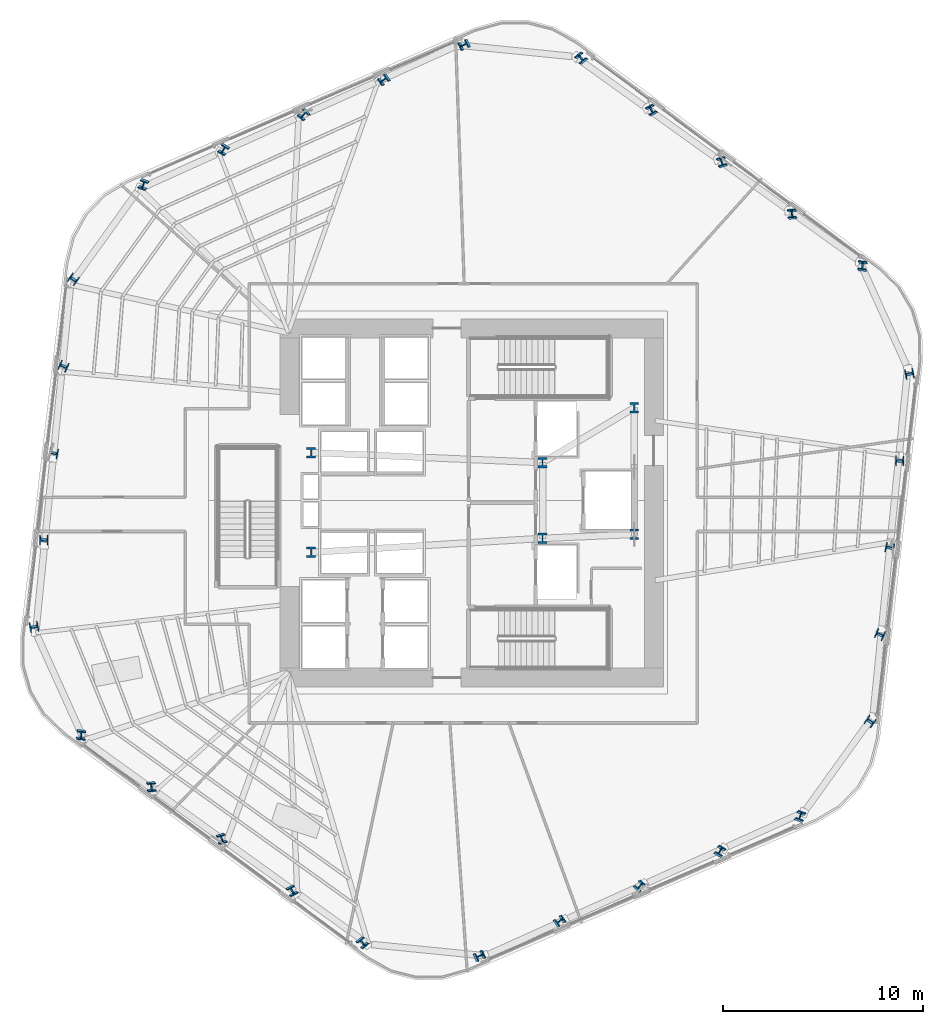
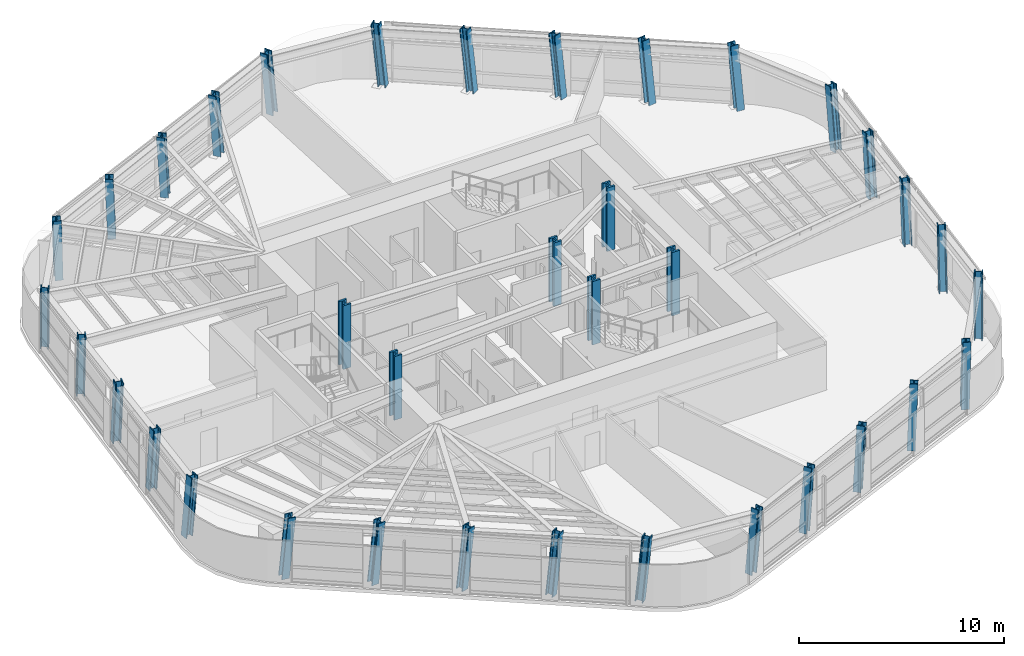
# One storey, part 1 of 16: 36 columns.
"""IFC4 building model written with IfcOpenShell, lengths in metres."""

from ifc_helpers import new_model, si_unit, direction, frame, origin, origin_2d, place, context, subcontext, project, spatial, i_section, extrude, material, material_profile, profile_set, type_object, element, save


model = new_model("IFC4")

# Units and contexts
model_context = context("Model", 3, precision=1e-05, world=origin(), true_north=direction((0.0, 1.0)))
body_context = subcontext(model_context, "Body", "Model", "MODEL_VIEW")
ifc_project = project(units=[si_unit("LENGTHUNIT", "METRE"), si_unit("AREAUNIT", "SQUARE_METRE"), si_unit("VOLUMEUNIT", "CUBIC_METRE"), si_unit("PLANEANGLEUNIT", "RADIAN"), si_unit("MASSUNIT", "GRAM", prefix="KILO")], contexts=[model_context])

# Site, building, storey
site_placement = place(None, origin())
site = spatial("IfcSite", under=ifc_project, at=site_placement, CompositionType="ELEMENT")
building_placement = place(site_placement, origin())
building = spatial("IfcBuilding", under=site, at=building_placement, Name="Valkerne Bourse Tower", CompositionType="ELEMENT")
storey_placement = place(building_placement, frame((0.0, 0.0, 123.800048828125)))
storey = spatial("IfcBuildingStorey", under=building, at=storey_placement, Name="L31", CompositionType="ELEMENT", Elevation=123.800048828125)

# Columns
ifc_material = material(Name="Steel ASTM A913 Grade 65", Category="steel")
ifc_material_profile_1 = material_profile(ifc_material, i_section(OverallWidth=0.408935546875, OverallDepth=0.42431640625, WebThickness=0.03271484375, FlangeThickness=0.052490234375, FilletRadius=0.025390625, at=origin_2d()), Name="W14X283")
ifc_profile_set_1 = profile_set([ifc_material_profile_1], Name="Steel ASTM A913 Grade 65")
column_type_1 = type_object("IfcColumnType", Name="COL-W14X283", PredefinedType="COLUMN", material=ifc_profile_set_1)
column_1_placement = place(storey_placement, frame((66.410400390625, 38.703125, 0.010009765625), z_axis=(-0.048982673869, 0.080737845643, 0.995531063273), x_axis=(0.994252995915, -0.091053872589, 0.056304284036)))
element("IfcColumn", 1, at=column_1_placement, inside=storey, type_object=column_type_1, Name="L31 Helical Perimeter Tube Column F1-C1", PredefinedType="COLUMN", context=body_context, shape_type="SweptSolid", body=[
    extrude(i_section(OverallWidth=0.408935546875, OverallDepth=0.42431640625, WebThickness=0.03271484375, FlangeThickness=0.052490234375, FilletRadius=0.025390625, at=origin_2d()), origin(), (0.0, 0.0, 1.0), 3.798095703125),
])
column_2_placement = place(storey_placement, frame((62.891845703125, 41.31640625, 0.010009765625), z_axis=(-0.059811235489, 0.06611392482, 0.996017853783), x_axis=(0.993745180132, 0.098208832137, 0.053155829927)))
element("IfcColumn", 2, at=column_2_placement, inside=storey, type_object=column_type_1, Name="L31 Helical Perimeter Tube Column F1-C2", PredefinedType="COLUMN", context=body_context, shape_type="SweptSolid", body=[
    extrude(i_section(OverallWidth=0.408935546875, OverallDepth=0.42431640625, WebThickness=0.03271484375, FlangeThickness=0.052490234375, FilletRadius=0.025390625, at=origin_2d()), origin(), (0.0, 0.0, 1.0), 3.796142578125),
])
column_3_placement = place(storey_placement, frame((59.373046875, 43.9296875, 0.010009765625), z_axis=(-0.070434947927, 0.051459322687, 0.996188163059), x_axis=(0.953193235291, 0.297855210724, 0.052008938081)))
element("IfcColumn", 3, at=column_3_placement, inside=storey, type_object=column_type_1, Name="L31 Helical Perimeter Tube Column F1-C3", PredefinedType="COLUMN", context=body_context, shape_type="SweptSolid", body=[
    extrude(i_section(OverallWidth=0.408935546875, OverallDepth=0.42431640625, WebThickness=0.03271484375, FlangeThickness=0.052490234375, FilletRadius=0.025390625, at=origin_2d()), origin(), (0.0, 0.0, 1.0), 3.79541015625),
])
column_4_placement = place(storey_placement, frame((55.854248046875, 46.542724609375, 0.010009765625), z_axis=(-0.081163322771, 0.036851492827, 0.996019318343), x_axis=(0.87262787776, 0.485485408442, 0.053146073655)))
element("IfcColumn", 4, at=column_4_placement, inside=storey, type_object=column_type_1, Name="L31 Helical Perimeter Tube Column F1-C4", PredefinedType="COLUMN", context=body_context, shape_type="SweptSolid", body=[
    extrude(i_section(OverallWidth=0.408935546875, OverallDepth=0.42431640625, WebThickness=0.03271484375, FlangeThickness=0.052490234375, FilletRadius=0.025390625, at=origin_2d()), origin(), (0.0, 0.0, 1.0), 3.796142578125),
])
for number, where, z_axis, x_axis, name in (
    (5, (52.33544921875, 49.156005859375, 0.010009765625), (-0.091794296712, 0.022177193533, 0.995531003625), (0.765494616528, 0.640974084849, 0.056304658948), "L31 Helical Perimeter Tube Column F1-C5"),
    (6, (46.47021484375, 49.834716796875, 0.010009765625), (-0.094429695851, -0.002057011754, 0.995529407523), (-0.415265821503, 0.908926393339, -0.037511451359), "L31 Helical Perimeter Tube Column F2-C1"),
):
    element("IfcColumn", number, at=place(storey_placement, frame(where, z_axis=z_axis, x_axis=x_axis)), inside=storey, type_object=column_type_1, Name=name, PredefinedType="COLUMN", context=body_context, shape_type="SweptSolid", body=[
        extrude(i_section(OverallWidth=0.408935546875, OverallDepth=0.42431640625, WebThickness=0.03271484375, FlangeThickness=0.052490234375, FilletRadius=0.025390625, at=origin_2d()), origin(), (0.0, 0.0, 1.0), 3.798095703125),
    ])
column_5_placement = place(storey_placement, frame((42.447509765625, 48.093994140625, 0.010009765625), z_axis=(-0.087144607944, -0.018650875501, 0.996021065113), x_axis=(-0.578878022744, 0.814645668602, -0.035393070118)))
element("IfcColumn", 7, at=column_5_placement, inside=storey, type_object=column_type_1, Name="L31 Helical Perimeter Tube Column F2-C2", PredefinedType="COLUMN", context=body_context, shape_type="SweptSolid", body=[
    extrude(i_section(OverallWidth=0.408935546875, OverallDepth=0.42431640625, WebThickness=0.03271484375, FlangeThickness=0.052490234375, FilletRadius=0.025390625, at=origin_2d()), origin(), (0.0, 0.0, 1.0), 3.796142578125),
])
column_6_placement = place(storey_placement, frame((38.425048828125, 46.353515625, 0.010009765625), z_axis=(-0.079825868561, -0.035313780693, 0.996183099436), x_axis=(-0.733100743017, 0.679236001793, -0.034666330283)))
element("IfcColumn", 8, at=column_6_placement, inside=storey, type_object=column_type_1, Name="L31 Helical Perimeter Tube Column F2-C3", PredefinedType="COLUMN", context=body_context, shape_type="SweptSolid", body=[
    extrude(i_section(OverallWidth=0.408935546875, OverallDepth=0.42431640625, WebThickness=0.03271484375, FlangeThickness=0.052490234375, FilletRadius=0.025390625, at=origin_2d()), origin(), (0.0, 0.0, 1.0), 3.79541015625),
])
column_7_placement = place(storey_placement, frame((34.402587890625, 44.61279296875, 0.010009765625), z_axis=(-0.072480973176, -0.051900750092, 0.996018484099), x_axis=(-0.855926147012, 0.515884629061, -0.035404524571)))
element("IfcColumn", 9, at=column_7_placement, inside=storey, type_object=column_type_1, Name="L31 Helical Perimeter Tube Column F2-C4", PredefinedType="COLUMN", context=body_context, shape_type="SweptSolid", body=[
    extrude(i_section(OverallWidth=0.408935546875, OverallDepth=0.42431640625, WebThickness=0.03271484375, FlangeThickness=0.052490234375, FilletRadius=0.025390625, at=origin_2d()), origin(), (0.0, 0.0, 1.0), 3.796142578125),
])
column_8_placement = place(storey_placement, frame((30.3798828125, 42.8720703125, 0.010009765625), z_axis=(-0.065053079526, -0.068460009581, 0.995530674531), x_axis=(-0.937641834273, 0.345573551553, -0.037506147342)))
element("IfcColumn", 10, at=column_8_placement, inside=storey, type_object=column_type_1, Name="L31 Helical Perimeter Tube Column F2-C5", PredefinedType="COLUMN", context=body_context, shape_type="SweptSolid", body=[
    extrude(i_section(OverallWidth=0.408935546875, OverallDepth=0.42431640625, WebThickness=0.03271484375, FlangeThickness=0.052490234375, FilletRadius=0.025390625, at=origin_2d()), origin(), (0.0, 0.0, 1.0), 3.798095703125),
])
column_9_placement = place(storey_placement, frame((26.859619140625, 38.131591796875, 0.010009765625), z_axis=(-0.045382972324, -0.082794997667, 0.995532708747), x_axis=(-0.576134211489, -0.811955978876, -0.093791570614)))
element("IfcColumn", 11, at=column_9_placement, inside=storey, type_object=column_type_1, Name="L31 Helical Perimeter Tube Column F3-C1", PredefinedType="COLUMN", context=body_context, shape_type="SweptSolid", body=[
    extrude(i_section(OverallWidth=0.408935546875, OverallDepth=0.42431640625, WebThickness=0.03271484375, FlangeThickness=0.052490234375, FilletRadius=0.025390625, at=origin_2d()), origin(), (0.0, 0.0, 1.0), 3.7978515625),
])
column_10_placement = place(storey_placement, frame((26.355712890625, 33.777587890625, 0.010009765625), z_axis=(-0.027333313925, -0.084765430006, 0.996025959414), x_axis=(-0.413042453255, -0.906404122626, -0.088473150142)))
element("IfcColumn", 12, at=column_10_placement, inside=storey, type_object=column_type_1, Name="L31 Helical Perimeter Tube Column F3-C2", PredefinedType="COLUMN", context=body_context, shape_type="SweptSolid", body=[
    extrude(i_section(OverallWidth=0.408935546875, OverallDepth=0.42431640625, WebThickness=0.03271484375, FlangeThickness=0.052490234375, FilletRadius=0.025390625, at=origin_2d()), origin(), (0.0, 0.0, 1.0), 3.796142578125),
])
column_11_placement = place(storey_placement, frame((25.85205078125, 29.423828125, 0.010009765625), z_axis=(-0.009391285746, -0.086772907334, 0.996183851658), x_axis=(-0.220748842799, -0.971469427799, -0.086701206764)))
element("IfcColumn", 13, at=column_11_placement, inside=storey, type_object=column_type_1, Name="L31 Helical Perimeter Tube Column F3-C3", PredefinedType="COLUMN", context=body_context, shape_type="SweptSolid", body=[
    extrude(i_section(OverallWidth=0.408935546875, OverallDepth=0.42431640625, WebThickness=0.03271484375, FlangeThickness=0.052490234375, FilletRadius=0.025390625, at=origin_2d()), origin(), (0.0, 0.0, 1.0), 3.79541015625),
])
column_12_placement = place(storey_placement, frame((25.348388671875, 25.06982421875, 0.010009765625), z_axis=(0.008618000159, -0.088688225519, 0.996022152729), x_axis=(-0.018705137777, -0.995899159857, -0.088515429262)))
element("IfcColumn", 14, at=column_12_placement, inside=storey, type_object=column_type_1, Name="L31 Helical Perimeter Tube Column F3-C4", PredefinedType="COLUMN", context=body_context, shape_type="SweptSolid", body=[
    extrude(i_section(OverallWidth=0.408935546875, OverallDepth=0.42431640625, WebThickness=0.03271484375, FlangeThickness=0.052490234375, FilletRadius=0.025390625, at=origin_2d()), origin(), (0.0, 0.0, 1.0), 3.796142578125),
])
column_13_placement = place(storey_placement, frame((24.844482421875, 20.7158203125, 0.010009765625), z_axis=(0.026676952707, -0.090573075577, 0.995532449584), x_axis=(0.16915432554, -0.981116428483, -0.093794285067)))
element("IfcColumn", 15, at=column_13_placement, inside=storey, type_object=column_type_1, Name="L31 Helical Perimeter Tube Column F3-C5", PredefinedType="COLUMN", context=body_context, shape_type="SweptSolid", body=[
    extrude(i_section(OverallWidth=0.408935546875, OverallDepth=0.42431640625, WebThickness=0.03271484375, FlangeThickness=0.052490234375, FilletRadius=0.025390625, at=origin_2d()), origin(), (0.0, 0.0, 1.0), 3.7978515625),
])
column_14_placement = place(storey_placement, frame((27.189453125, 15.296875, 0.010009765625), z_axis=(0.049046801059, -0.080737591259, 0.995527926612), x_axis=(0.994304828771, -0.090473835909, -0.056323995755)))
element("IfcColumn", 16, at=column_14_placement, inside=storey, type_object=column_type_1, Name="L31 Helical Perimeter Tube Column F4-C1", PredefinedType="COLUMN", context=body_context, shape_type="SweptSolid", body=[
    extrude(i_section(OverallWidth=0.408935546875, OverallDepth=0.42431640625, WebThickness=0.03271484375, FlangeThickness=0.052490234375, FilletRadius=0.025390625, at=origin_2d()), origin(), (0.0, 0.0, 1.0), 3.798095703125),
])
column_15_placement = place(storey_placement, frame((30.708251953125, 12.68359375, 0.010009765625), z_axis=(0.059747152036, -0.066114179002, 0.996021683076), x_axis=(0.993799130584, 0.097675265368, -0.053130317009)))
element("IfcColumn", 17, at=column_15_placement, inside=storey, type_object=column_type_1, Name="L31 Helical Perimeter Tube Column F4-C2", PredefinedType="COLUMN", context=body_context, shape_type="SweptSolid", body=[
    extrude(i_section(OverallWidth=0.408935546875, OverallDepth=0.42431640625, WebThickness=0.03271484375, FlangeThickness=0.052490234375, FilletRadius=0.025390625, at=origin_2d()), origin(), (0.0, 0.0, 1.0), 3.796142578125),
])
column_16_placement = place(storey_placement, frame((34.22705078125, 10.0703125, 0.010009765625), z_axis=(0.070434947927, -0.051459322687, 0.996188163059), x_axis=(0.953193235291, 0.297855210724, -0.052008938081)))
element("IfcColumn", 18, at=column_16_placement, inside=storey, type_object=column_type_1, Name="L31 Helical Perimeter Tube Column F4-C3", PredefinedType="COLUMN", context=body_context, shape_type="SweptSolid", body=[
    extrude(i_section(OverallWidth=0.408935546875, OverallDepth=0.42431640625, WebThickness=0.03271484375, FlangeThickness=0.052490234375, FilletRadius=0.025390625, at=origin_2d()), origin(), (0.0, 0.0, 1.0), 3.79541015625),
])
column_17_placement = place(storey_placement, frame((37.74560546875, 7.457275390625, 0.010009765625), z_axis=(0.081163322771, -0.036851492827, 0.996019318343), x_axis=(0.87262787776, 0.485485408442, -0.053146073655)))
element("IfcColumn", 19, at=column_17_placement, inside=storey, type_object=column_type_1, Name="L31 Helical Perimeter Tube Column F4-C4", PredefinedType="COLUMN", context=body_context, shape_type="SweptSolid", body=[
    extrude(i_section(OverallWidth=0.408935546875, OverallDepth=0.42431640625, WebThickness=0.03271484375, FlangeThickness=0.052490234375, FilletRadius=0.025390625, at=origin_2d()), origin(), (0.0, 0.0, 1.0), 3.796142578125),
])
for number, where, z_axis, x_axis, name in (
    (20, (41.264404296875, 4.843994140625, 0.010009765625), (0.091858036218, -0.022177062628, 0.995525127295), (0.765388805985, 0.641097185966, -0.056341581623), "L31 Helical Perimeter Tube Column F4-C5"),
    (21, (47.1298828125, 4.165283203125, 0.010009765625), (0.094429695851, 0.002057011754, 0.995529407523), (-0.415265821503, 0.908926393339, 0.037511451359), "L31 Helical Perimeter Tube Column F5-C1"),
):
    element("IfcColumn", number, at=place(storey_placement, frame(where, z_axis=z_axis, x_axis=x_axis)), inside=storey, type_object=column_type_1, Name=name, PredefinedType="COLUMN", context=body_context, shape_type="SweptSolid", body=[
        extrude(i_section(OverallWidth=0.408935546875, OverallDepth=0.42431640625, WebThickness=0.03271484375, FlangeThickness=0.052490234375, FilletRadius=0.025390625, at=origin_2d()), origin(), (0.0, 0.0, 1.0), 3.798095703125),
    ])
column_18_placement = place(storey_placement, frame((51.15234375, 5.906005859375, 0.010009765625), z_axis=(0.087144607944, 0.018650875501, 0.996021065113), x_axis=(-0.578878022744, 0.814645668602, 0.035393070118)))
element("IfcColumn", 22, at=column_18_placement, inside=storey, type_object=column_type_1, Name="L31 Helical Perimeter Tube Column F5-C2", PredefinedType="COLUMN", context=body_context, shape_type="SweptSolid", body=[
    extrude(i_section(OverallWidth=0.408935546875, OverallDepth=0.42431640625, WebThickness=0.03271484375, FlangeThickness=0.052490234375, FilletRadius=0.025390625, at=origin_2d()), origin(), (0.0, 0.0, 1.0), 3.796142578125),
])
column_19_placement = place(storey_placement, frame((55.1748046875, 7.646484375, 0.010009765625), z_axis=(0.079825868561, 0.035313780693, 0.996183099436), x_axis=(-0.733100743017, 0.679236001793, 0.034666330283)))
element("IfcColumn", 23, at=column_19_placement, inside=storey, type_object=column_type_1, Name="L31 Helical Perimeter Tube Column F5-C3", PredefinedType="COLUMN", context=body_context, shape_type="SweptSolid", body=[
    extrude(i_section(OverallWidth=0.408935546875, OverallDepth=0.42431640625, WebThickness=0.03271484375, FlangeThickness=0.052490234375, FilletRadius=0.025390625, at=origin_2d()), origin(), (0.0, 0.0, 1.0), 3.79541015625),
])
column_20_placement = place(storey_placement, frame((59.197509765625, 9.38720703125, 0.010009765625), z_axis=(0.072480973176, 0.051900750092, 0.996018484099), x_axis=(-0.855926147012, 0.515884629061, 0.035404524571)))
element("IfcColumn", 24, at=column_20_placement, inside=storey, type_object=column_type_1, Name="L31 Helical Perimeter Tube Column F5-C4", PredefinedType="COLUMN", context=body_context, shape_type="SweptSolid", body=[
    extrude(i_section(OverallWidth=0.408935546875, OverallDepth=0.42431640625, WebThickness=0.03271484375, FlangeThickness=0.052490234375, FilletRadius=0.025390625, at=origin_2d()), origin(), (0.0, 0.0, 1.0), 3.796142578125),
])
column_21_placement = place(storey_placement, frame((63.219970703125, 11.1279296875, 0.010009765625), z_axis=(0.06511708879, 0.06845972316, 0.995526509467), x_axis=(-0.937470144423, 0.34603715006, 0.037523580518)))
element("IfcColumn", 25, at=column_21_placement, inside=storey, type_object=column_type_1, Name="L31 Helical Perimeter Tube Column F5-C5", PredefinedType="COLUMN", context=body_context, shape_type="SweptSolid", body=[
    extrude(i_section(OverallWidth=0.408935546875, OverallDepth=0.42431640625, WebThickness=0.03271484375, FlangeThickness=0.052490234375, FilletRadius=0.025390625, at=origin_2d()), origin(), (0.0, 0.0, 1.0), 3.798095703125),
])
column_22_placement = place(storey_placement, frame((66.740478515625, 15.868408203125, 0.010009765625), z_axis=(0.045382972324, 0.082794997667, 0.995532708747), x_axis=(-0.576134211489, -0.811955978876, 0.093791570614)))
element("IfcColumn", 26, at=column_22_placement, inside=storey, type_object=column_type_1, Name="L31 Helical Perimeter Tube Column F6-C1", PredefinedType="COLUMN", context=body_context, shape_type="SweptSolid", body=[
    extrude(i_section(OverallWidth=0.408935546875, OverallDepth=0.42431640625, WebThickness=0.03271484375, FlangeThickness=0.052490234375, FilletRadius=0.025390625, at=origin_2d()), origin(), (0.0, 0.0, 1.0), 3.7978515625),
])
column_23_placement = place(storey_placement, frame((67.244140625, 20.222412109375, 0.010009765625), z_axis=(0.027397579385, 0.084765280822, 0.996024206438), x_axis=(-0.413664621021, -0.906118445423, 0.088492622175)))
element("IfcColumn", 27, at=column_23_placement, inside=storey, type_object=column_type_1, Name="L31 Helical Perimeter Tube Column F6-C2", PredefinedType="COLUMN", context=body_context, shape_type="SweptSolid", body=[
    extrude(i_section(OverallWidth=0.408935546875, OverallDepth=0.42431640625, WebThickness=0.03271484375, FlangeThickness=0.052490234375, FilletRadius=0.025390625, at=origin_2d()), origin(), (0.0, 0.0, 1.0), 3.796142578125),
])
column_24_placement = place(storey_placement, frame((67.748046875, 24.576171875, 0.010009765625), z_axis=(0.009326967486, 0.086772959573, 0.996184451377), x_axis=(-0.22003698813, -0.971631516407, 0.086694406852)))
element("IfcColumn", 28, at=column_24_placement, inside=storey, type_object=column_type_1, Name="L31 Helical Perimeter Tube Column F6-C3", PredefinedType="COLUMN", context=body_context, shape_type="SweptSolid", body=[
    extrude(i_section(OverallWidth=0.408935546875, OverallDepth=0.42431640625, WebThickness=0.03271484375, FlangeThickness=0.052490234375, FilletRadius=0.025390625, at=origin_2d()), origin(), (0.0, 0.0, 1.0), 3.79541015625),
])
column_25_placement = place(storey_placement, frame((68.251708984375, 28.93017578125, 0.010009765625), z_axis=(-0.008682308763, 0.08868817618, 0.996021598621), x_axis=(-0.017989802714, -0.995911791554, 0.08852158179)))
element("IfcColumn", 29, at=column_25_placement, inside=storey, type_object=column_type_1, Name="L31 Helical Perimeter Tube Column F6-C4", PredefinedType="COLUMN", context=body_context, shape_type="SweptSolid", body=[
    extrude(i_section(OverallWidth=0.408935546875, OverallDepth=0.42431640625, WebThickness=0.03271484375, FlangeThickness=0.052490234375, FilletRadius=0.025390625, at=origin_2d()), origin(), (0.0, 0.0, 1.0), 3.796142578125),
])
column_26_placement = place(storey_placement, frame((68.755615234375, 33.2841796875, 0.010009765625), z_axis=(-0.026741188609, 0.090572920072, 0.99553074035), x_axis=(0.169794421936, -0.981004142771, 0.09381218549)))
element("IfcColumn", 30, at=column_26_placement, inside=storey, type_object=column_type_1, Name="L31 Helical Perimeter Tube Column F6-C5", PredefinedType="COLUMN", context=body_context, shape_type="SweptSolid", body=[
    extrude(i_section(OverallWidth=0.408935546875, OverallDepth=0.42431640625, WebThickness=0.03271484375, FlangeThickness=0.052490234375, FilletRadius=0.025390625, at=origin_2d()), origin(), (0.0, 0.0, 1.0), 3.798095703125),
])
ifc_material_profile_2 = material_profile(ifc_material, i_section(OverallWidth=0.44189453125, OverallDepth=0.531005859375, WebThickness=0.06591796875, FlangeThickness=0.105712890625, FilletRadius=0.030517578125, at=origin_2d()), Name="W14X605")
ifc_profile_set_2 = profile_set([ifc_material_profile_2], Name="Steel ASTM A913 Grade 65")
column_type_2 = type_object("IfcColumnType", Name="COL-W14X605", PredefinedType="COLUMN", material=ifc_profile_set_2)
for number, where, z_axis, x_axis, name in (
    (31, (38.75, 24.39990234375, 0.0048828125), (0.0, 0.0, 1.0), (1.0, 0.0, 0.0), "L31 Core Frame Column CC-SW"),
    (32, (38.75, 29.39990234375, 0.0048828125), (0.0, 0.0, 1.0), (1.0, 0.0, 0.0), "L31 Core Frame Column CC-NW"),
    (33, (50.35009765625, 25.10009765625, 0.0048828125), (0.0, 0.0, 1.0), (1.0, 0.0, 0.0), "L31 Core Frame Column CC-CE1"),
    (34, (50.35009765625, 28.89990234375, 0.0048828125), (0.0, 0.0, 1.0), (1.0, 0.0, 0.0), "L31 Core Frame Column CC-CE2"),
    (35, (54.949951171875, 25.300048828125, 0.0048828125), (0.0, 0.0, 1.0), (1.0, 0.0, 0.0), "L31 Core Frame Column CC-SE"),
    (36, (54.949951171875, 31.64990234375, 0.0048828125), (0.0, 0.0, 1.0), (1.0, 0.0, 0.0), "L31 Core Frame Column CC-NE"),
):
    element("IfcColumn", number, at=place(storey_placement, frame(where, z_axis=z_axis, x_axis=x_axis)), inside=storey, type_object=column_type_2, Name=name, PredefinedType="COLUMN", context=body_context, shape_type="SweptSolid", body=[
        extrude(i_section(OverallWidth=0.44189453125, OverallDepth=0.531005859375, WebThickness=0.06591796875, FlangeThickness=0.105712890625, FilletRadius=0.030517578125, at=origin_2d()), origin(), (0.0, 0.0, 1.0), 3.795166015625),
    ])

save(model, "model.ifc")
